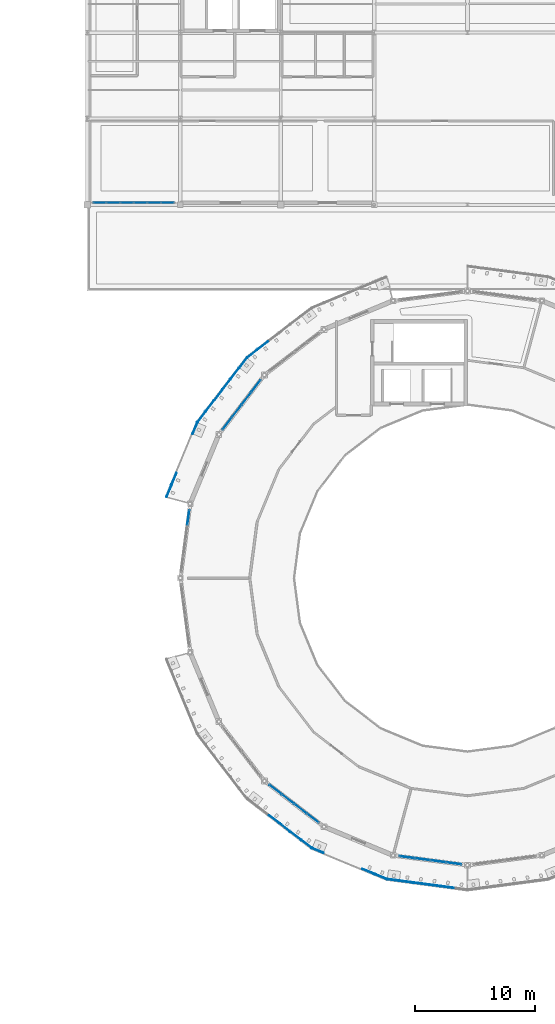
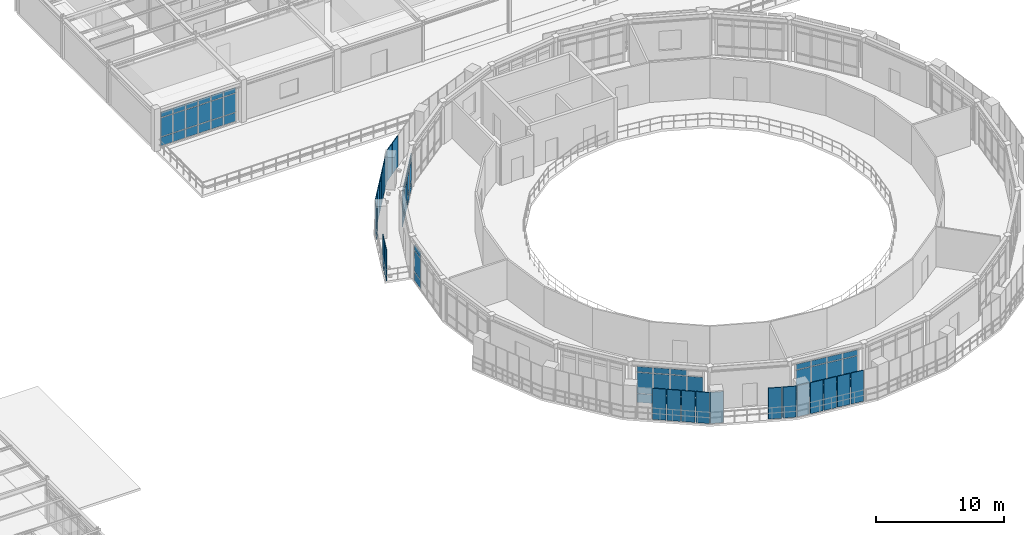
# One storey, part 35 of 58: 79 plates, 5 elements without a shape of their own.
"""IFC4 building model written with IfcOpenShell, lengths in metres."""

from ifc_helpers import new_model, si_unit, derived_unit, direction, frame, origin, origin_2d, place, context, subcontext, project, spatial, rectangle, extrude, material, layer, layer_set, type_object, element, aggregate, save


model = new_model("IFC4")

# Units and contexts
model_context = context("Model", 3, precision=1e-05, world=origin(), true_north=direction((0.0, 1.0)))
body_context = subcontext(model_context, "Body", "Model", "MODEL_VIEW")
ifc_project = project(units=[si_unit("LENGTHUNIT", "METRE"), si_unit("AREAUNIT", "SQUARE_METRE"), si_unit("VOLUMEUNIT", "CUBIC_METRE"), si_unit("PLANEANGLEUNIT", "RADIAN"), si_unit("MASSUNIT", "GRAM", prefix="KILO"), derived_unit("THERMALTRANSMITTANCEUNIT", [(si_unit("POWERUNIT", "WATT"), 1), (si_unit("AREAUNIT", "SQUARE_METRE"), -1), (si_unit("THERMODYNAMICTEMPERATUREUNIT", "KELVIN"), -1)])], contexts=[model_context])

# Site, building, storey
site_placement = place(None, origin())
site = spatial("IfcSite", under=ifc_project, at=site_placement, CompositionType="ELEMENT")
building_placement = place(site_placement, origin())
building = spatial("IfcBuilding", under=site, at=building_placement, Name="Yasenodar Specialist Clinic", CompositionType="ELEMENT")
storey_placement = place(building_placement, frame((0.0, 0.0, 17.25)))
storey = spatial("IfcBuildingStorey", under=building, at=storey_placement, Name="L04", CompositionType="ELEMENT", Elevation=17.25)

# Curtain wall, plates
ifc_material_1 = material(Name="Bronze Anodized Aluminium and Triple Low-E Glass", Category="aluminium")
ifc_layer_1 = layer(ifc_material_1, 0.215087890625)
ifc_layer_set_1 = layer_set([ifc_layer_1], Name="Bronze Anodized Aluminium and Triple Low-E Glass")
curtain_wall_type_1 = type_object("IfcCurtainWallType", Name="CW-SYS-05", PredefinedType="USERDEFINED", material=ifc_layer_set_1)
curtain_wall_1_placement = place(storey_placement, origin())
curtain_wall_1 = element("IfcCurtainWall", 1, at=curtain_wall_1_placement, inside=storey, type_object=curtain_wall_type_1, Name="L04 Unitised Curtain Wall 164", ObjectType="UNITISED CURTAIN WALL", PredefinedType="USERDEFINED")
ifc_material_2 = material(Name="Triple Low-E Argon Glazing", Category="glass")
ifc_layer_2 = layer(ifc_material_2, 0.028076171875)
ifc_layer_set_2 = layer_set([ifc_layer_2], Name="Triple Low-E Argon Glazing")
plate_type_1 = type_object("IfcPlateType", Name="CW-PAN-1", PredefinedType="CURTAIN_PANEL", material=ifc_layer_set_2)
plate_1_placement = place(storey_placement, frame((55.93505859375, 90.169921875, 0.06005859375), z_axis=(0.0, 0.0, 1.0), x_axis=(-1.0, 0.0, 0.0)))
plate_1 = element("IfcPlate", 2, at=plate_1_placement, type_object=plate_type_1, Name="CW-05 panel 1.1", PredefinedType="CURTAIN_PANEL", context=body_context, shape_type="SweptSolid", body=[
    extrude(rectangle(XDim=1.050048828125, YDim=0.028076171875, at=origin_2d()), origin(), (0.0, 0.0, 1.0), 0.81005859375),
])
plate_2_placement = place(storey_placement, frame((55.93505859375, 90.169921875, 0.929931640625), z_axis=(0.0, 0.0, 1.0), x_axis=(-1.0, 0.0, 0.0)))
plate_2 = element("IfcPlate", 3, at=plate_2_placement, type_object=plate_type_1, Name="CW-05 panel 1.2", PredefinedType="CURTAIN_PANEL", context=body_context, shape_type="SweptSolid", body=[
    extrude(rectangle(XDim=1.050048828125, YDim=0.028076171875, at=origin_2d()), origin(), (0.0, 0.0, 1.0), 1.76806640625),
])
plate_3_placement = place(storey_placement, frame((55.93505859375, 90.169921875, 2.7578125), z_axis=(0.0, 0.0, 1.0), x_axis=(-1.0, 0.0, 0.0)))
plate_3 = element("IfcPlate", 4, at=plate_3_placement, type_object=plate_type_1, Name="CW-05 panel 1.3", PredefinedType="CURTAIN_PANEL", context=body_context, shape_type="SweptSolid", body=[
    extrude(rectangle(XDim=1.050048828125, YDim=0.028076171875, at=origin_2d()), origin(), (0.0, 0.0, 1.0), 0.510009765625),
])
plate_4_placement = place(storey_placement, frame((54.81005859375, 90.169921875, 0.06005859375), z_axis=(0.0, 0.0, 1.0), x_axis=(-1.0, 0.0, 0.0)))
plate_4 = element("IfcPlate", 5, at=plate_4_placement, type_object=plate_type_1, Name="CW-05 panel 2.1", PredefinedType="CURTAIN_PANEL", context=body_context, shape_type="SweptSolid", body=[
    extrude(rectangle(XDim=1.080078125, YDim=0.028076171875, at=origin_2d()), origin(), (0.0, 0.0, 1.0), 0.81005859375),
])
plate_5_placement = place(storey_placement, frame((54.81005859375, 90.169921875, 0.929931640625), z_axis=(0.0, 0.0, 1.0), x_axis=(-1.0, 0.0, 0.0)))
plate_5 = element("IfcPlate", 6, at=plate_5_placement, type_object=plate_type_1, Name="CW-05 panel 2.2", PredefinedType="CURTAIN_PANEL", context=body_context, shape_type="SweptSolid", body=[
    extrude(rectangle(XDim=1.080078125, YDim=0.028076171875, at=origin_2d()), origin(), (0.0, 0.0, 1.0), 1.76806640625),
])
plate_6_placement = place(storey_placement, frame((54.81005859375, 90.169921875, 2.7578125), z_axis=(0.0, 0.0, 1.0), x_axis=(-1.0, 0.0, 0.0)))
plate_6 = element("IfcPlate", 7, at=plate_6_placement, type_object=plate_type_1, Name="CW-05 panel 2.3", PredefinedType="CURTAIN_PANEL", context=body_context, shape_type="SweptSolid", body=[
    extrude(rectangle(XDim=1.080078125, YDim=0.028076171875, at=origin_2d()), origin(), (0.0, 0.0, 1.0), 0.510009765625),
])
plate_7_placement = place(storey_placement, frame((53.669921875, 90.169921875, 0.06005859375), z_axis=(0.0, 0.0, 1.0), x_axis=(-1.0, 0.0, 0.0)))
plate_7 = element("IfcPlate", 8, at=plate_7_placement, type_object=plate_type_1, Name="CW-05 panel 3.1", PredefinedType="CURTAIN_PANEL", context=body_context, shape_type="SweptSolid", body=[
    extrude(rectangle(XDim=1.080078125, YDim=0.028076171875, at=origin_2d()), origin(), (0.0, 0.0, 1.0), 0.81005859375),
])
plate_8_placement = place(storey_placement, frame((53.669921875, 90.169921875, 0.929931640625), z_axis=(0.0, 0.0, 1.0), x_axis=(-1.0, 0.0, 0.0)))
plate_8 = element("IfcPlate", 9, at=plate_8_placement, type_object=plate_type_1, Name="CW-05 panel 3.2", PredefinedType="CURTAIN_PANEL", context=body_context, shape_type="SweptSolid", body=[
    extrude(rectangle(XDim=1.080078125, YDim=0.028076171875, at=origin_2d()), origin(), (0.0, 0.0, 1.0), 1.76806640625),
])
plate_9_placement = place(storey_placement, frame((53.669921875, 90.169921875, 2.7578125), z_axis=(0.0, 0.0, 1.0), x_axis=(-1.0, 0.0, 0.0)))
plate_9 = element("IfcPlate", 10, at=plate_9_placement, type_object=plate_type_1, Name="CW-05 panel 3.3", PredefinedType="CURTAIN_PANEL", context=body_context, shape_type="SweptSolid", body=[
    extrude(rectangle(XDim=1.080078125, YDim=0.028076171875, at=origin_2d()), origin(), (0.0, 0.0, 1.0), 0.510009765625),
])
plate_10_placement = place(storey_placement, frame((52.530029296875, 90.169921875, 0.06005859375), z_axis=(0.0, 0.0, 1.0), x_axis=(-1.0, 0.0, 0.0)))
plate_10 = element("IfcPlate", 11, at=plate_10_placement, type_object=plate_type_1, Name="CW-05 panel 4.1", PredefinedType="CURTAIN_PANEL", context=body_context, shape_type="SweptSolid", body=[
    extrude(rectangle(XDim=1.080078125, YDim=0.028076171875, at=origin_2d()), origin(), (0.0, 0.0, 1.0), 0.81005859375),
])
plate_11_placement = place(storey_placement, frame((52.530029296875, 90.169921875, 0.929931640625), z_axis=(0.0, 0.0, 1.0), x_axis=(-1.0, 0.0, 0.0)))
plate_11 = element("IfcPlate", 12, at=plate_11_placement, type_object=plate_type_1, Name="CW-05 panel 4.2", PredefinedType="CURTAIN_PANEL", context=body_context, shape_type="SweptSolid", body=[
    extrude(rectangle(XDim=1.080078125, YDim=0.028076171875, at=origin_2d()), origin(), (0.0, 0.0, 1.0), 1.76806640625),
])
plate_12_placement = place(storey_placement, frame((52.530029296875, 90.169921875, 2.7578125), z_axis=(0.0, 0.0, 1.0), x_axis=(-1.0, 0.0, 0.0)))
plate_12 = element("IfcPlate", 13, at=plate_12_placement, type_object=plate_type_1, Name="CW-05 panel 4.3", PredefinedType="CURTAIN_PANEL", context=body_context, shape_type="SweptSolid", body=[
    extrude(rectangle(XDim=1.080078125, YDim=0.028076171875, at=origin_2d()), origin(), (0.0, 0.0, 1.0), 0.510009765625),
])
plate_13_placement = place(storey_placement, frame((51.389892578125, 90.169921875, 0.06005859375), z_axis=(0.0, 0.0, 1.0), x_axis=(-1.0, 0.0, 0.0)))
plate_13 = element("IfcPlate", 14, at=plate_13_placement, type_object=plate_type_1, Name="CW-05 panel 5.1", PredefinedType="CURTAIN_PANEL", context=body_context, shape_type="SweptSolid", body=[
    extrude(rectangle(XDim=1.080078125, YDim=0.028076171875, at=origin_2d()), origin(), (0.0, 0.0, 1.0), 0.81005859375),
])
plate_14_placement = place(storey_placement, frame((51.389892578125, 90.169921875, 0.929931640625), z_axis=(0.0, 0.0, 1.0), x_axis=(-1.0, 0.0, 0.0)))
plate_14 = element("IfcPlate", 15, at=plate_14_placement, type_object=plate_type_1, Name="CW-05 panel 5.2", PredefinedType="CURTAIN_PANEL", context=body_context, shape_type="SweptSolid", body=[
    extrude(rectangle(XDim=1.080078125, YDim=0.028076171875, at=origin_2d()), origin(), (0.0, 0.0, 1.0), 1.76806640625),
])
plate_15_placement = place(storey_placement, frame((51.389892578125, 90.169921875, 2.7578125), z_axis=(0.0, 0.0, 1.0), x_axis=(-1.0, 0.0, 0.0)))
plate_15 = element("IfcPlate", 16, at=plate_15_placement, type_object=plate_type_1, Name="CW-05 panel 5.3", PredefinedType="CURTAIN_PANEL", context=body_context, shape_type="SweptSolid", body=[
    extrude(rectangle(XDim=1.080078125, YDim=0.028076171875, at=origin_2d()), origin(), (0.0, 0.0, 1.0), 0.510009765625),
])
plate_16_placement = place(storey_placement, frame((50.264892578125, 90.169921875, 0.06005859375), z_axis=(0.0, 0.0, 1.0), x_axis=(-1.0, 0.0, 0.0)))
plate_16 = element("IfcPlate", 17, at=plate_16_placement, type_object=plate_type_1, Name="CW-05 panel 6.1", PredefinedType="CURTAIN_PANEL", context=body_context, shape_type="SweptSolid", body=[
    extrude(rectangle(XDim=1.050048828125, YDim=0.028076171875, at=origin_2d()), origin(), (0.0, 0.0, 1.0), 0.81005859375),
])
plate_17_placement = place(storey_placement, frame((50.264892578125, 90.169921875, 0.929931640625), z_axis=(0.0, 0.0, 1.0), x_axis=(-1.0, 0.0, 0.0)))
plate_17 = element("IfcPlate", 18, at=plate_17_placement, type_object=plate_type_1, Name="CW-05 panel 6.2", PredefinedType="CURTAIN_PANEL", context=body_context, shape_type="SweptSolid", body=[
    extrude(rectangle(XDim=1.050048828125, YDim=0.028076171875, at=origin_2d()), origin(), (0.0, 0.0, 1.0), 1.76806640625),
])
plate_18_placement = place(storey_placement, frame((50.264892578125, 90.169921875, 2.7578125), z_axis=(0.0, 0.0, 1.0), x_axis=(-1.0, 0.0, 0.0)))
plate_18 = element("IfcPlate", 19, at=plate_18_placement, type_object=plate_type_1, Name="CW-05 panel 6.3", PredefinedType="CURTAIN_PANEL", context=body_context, shape_type="SweptSolid", body=[
    extrude(rectangle(XDim=1.050048828125, YDim=0.028076171875, at=origin_2d()), origin(), (0.0, 0.0, 1.0), 0.510009765625),
])
aggregate(curtain_wall_1, [plate_1, plate_2, plate_3, plate_4, plate_5, plate_6, plate_7, plate_8, plate_9, plate_10, plate_11, plate_12, plate_13, plate_14, plate_15, plate_16, plate_17, plate_18])

ifc_layer_3 = layer(ifc_material_1, 0.1669921875)
ifc_layer_set_3 = layer_set([ifc_layer_3], Name="Bronze Anodized Aluminium and Triple Low-E Glass")
curtain_wall_type_2 = type_object("IfcCurtainWallType", Name="CW-SYS-01", PredefinedType="USERDEFINED", material=ifc_layer_set_3)
curtain_wall_2_placement = place(storey_placement, origin())
curtain_wall_2 = element("IfcCurtainWall", 20, at=curtain_wall_2_placement, inside=storey, type_object=curtain_wall_type_2, Name="L04 Unitised Curtain Wall 062", ObjectType="UNITISED CURTAIN WALL", PredefinedType="USERDEFINED")
ifc_layer_4 = layer(ifc_material_2, 0.0400390625)
ifc_layer_set_4 = layer_set([ifc_layer_4], Name="Triple Low-E Argon Glazing")
plate_type_2 = type_object("IfcPlateType", Name="CW-PAN-3", PredefinedType="CURTAIN_PANEL", material=ifc_layer_set_4)
plate_19_placement = place(storey_placement, frame((60.92041015625, 71.71875, 0.06005859375), z_axis=(0.0, 0.0, 1.0), x_axis=(0.608752021844, 0.793360558574, 0.0)))
plate_19 = element("IfcPlate", 21, at=plate_19_placement, type_object=plate_type_2, Name="CW-01 panel 1.1", PredefinedType="CURTAIN_PANEL", context=body_context, shape_type="SweptSolid", body=[
    extrude(rectangle(XDim=1.236328125, YDim=0.0400390625, at=origin_2d()), origin(), (0.0, 0.0, 1.0), 0.81005859375),
])
plate_20_placement = place(storey_placement, frame((60.92041015625, 71.71875, 0.93017578125), z_axis=(0.0, 0.0, 1.0), x_axis=(0.608752021844, 0.793360558574, 0.0)))
plate_20 = element("IfcPlate", 22, at=plate_20_placement, type_object=plate_type_2, Name="CW-01 panel 1.2", PredefinedType="CURTAIN_PANEL", context=body_context, shape_type="SweptSolid", body=[
    extrude(rectangle(XDim=1.236328125, YDim=0.0400390625, at=origin_2d()), origin(), (0.0, 0.0, 1.0), 1.968017578125),
])
plate_21_placement = place(storey_placement, frame((60.92041015625, 71.71875, 2.9580078125), z_axis=(0.0, 0.0, 1.0), x_axis=(0.608752021844, 0.793360558574, 0.0)))
plate_21 = element("IfcPlate", 23, at=plate_21_placement, type_object=plate_type_2, Name="CW-01 panel 1.3", PredefinedType="CURTAIN_PANEL", context=body_context, shape_type="SweptSolid", body=[
    extrude(rectangle(XDim=1.236328125, YDim=0.0400390625, at=origin_2d()), origin(), (0.0, 0.0, 1.0), 0.510009765625),
])
plate_22_placement = place(storey_placement, frame((61.71875, 72.75927734375, 0.06005859375), z_axis=(0.0, 0.0, 1.0), x_axis=(0.608752021844, 0.793360558574, 0.0)))
plate_22 = element("IfcPlate", 24, at=plate_22_placement, type_object=plate_type_2, Name="CW-01 panel 2.1", PredefinedType="CURTAIN_PANEL", context=body_context, shape_type="SweptSolid", body=[
    extrude(rectangle(XDim=1.266357421875, YDim=0.0400390625, at=origin_2d()), origin(), (0.0, 0.0, 1.0), 0.81005859375),
])
plate_23_placement = place(storey_placement, frame((61.71875, 72.75927734375, 0.93017578125), z_axis=(0.0, 0.0, 1.0), x_axis=(0.608752021844, 0.793360558574, 0.0)))
plate_23 = element("IfcPlate", 25, at=plate_23_placement, type_object=plate_type_2, Name="CW-01 panel 2.2", PredefinedType="CURTAIN_PANEL", context=body_context, shape_type="SweptSolid", body=[
    extrude(rectangle(XDim=1.266357421875, YDim=0.0400390625, at=origin_2d()), origin(), (0.0, 0.0, 1.0), 1.968017578125),
])
plate_24_placement = place(storey_placement, frame((61.71875, 72.75927734375, 2.9580078125), z_axis=(0.0, 0.0, 1.0), x_axis=(0.608752021844, 0.793360558574, 0.0)))
plate_24 = element("IfcPlate", 26, at=plate_24_placement, type_object=plate_type_2, Name="CW-01 panel 2.3", PredefinedType="CURTAIN_PANEL", context=body_context, shape_type="SweptSolid", body=[
    extrude(rectangle(XDim=1.266357421875, YDim=0.0400390625, at=origin_2d()), origin(), (0.0, 0.0, 1.0), 0.510009765625),
])
plate_25_placement = place(storey_placement, frame((62.526123046875, 73.8115234375, 0.06005859375), z_axis=(0.0, 0.0, 1.0), x_axis=(0.608752021844, 0.793360558574, 0.0)))
plate_25 = element("IfcPlate", 27, at=plate_25_placement, type_object=plate_type_2, Name="CW-01 panel 3.1", PredefinedType="CURTAIN_PANEL", context=body_context, shape_type="SweptSolid", body=[
    extrude(rectangle(XDim=1.266357421875, YDim=0.0400390625, at=origin_2d()), origin(), (0.0, 0.0, 1.0), 0.81005859375),
])
plate_26_placement = place(storey_placement, frame((62.526123046875, 73.8115234375, 0.93017578125), z_axis=(0.0, 0.0, 1.0), x_axis=(0.608752021844, 0.793360558574, 0.0)))
plate_26 = element("IfcPlate", 28, at=plate_26_placement, type_object=plate_type_2, Name="CW-01 panel 3.2", PredefinedType="CURTAIN_PANEL", context=body_context, shape_type="SweptSolid", body=[
    extrude(rectangle(XDim=1.266357421875, YDim=0.0400390625, at=origin_2d()), origin(), (0.0, 0.0, 1.0), 1.968017578125),
])
plate_27_placement = place(storey_placement, frame((62.526123046875, 73.8115234375, 2.9580078125), z_axis=(0.0, 0.0, 1.0), x_axis=(0.608752021844, 0.793360558574, 0.0)))
plate_27 = element("IfcPlate", 29, at=plate_27_placement, type_object=plate_type_2, Name="CW-01 panel 3.3", PredefinedType="CURTAIN_PANEL", context=body_context, shape_type="SweptSolid", body=[
    extrude(rectangle(XDim=1.266357421875, YDim=0.0400390625, at=origin_2d()), origin(), (0.0, 0.0, 1.0), 0.510009765625),
])
plate_28_placement = place(storey_placement, frame((63.324462890625, 74.851806640625, 0.06005859375), z_axis=(0.0, 0.0, 1.0), x_axis=(0.608752021844, 0.793360558574, 0.0)))
plate_28 = element("IfcPlate", 30, at=plate_28_placement, type_object=plate_type_2, Name="CW-01 panel 4.1", PredefinedType="CURTAIN_PANEL", context=body_context, shape_type="SweptSolid", body=[
    extrude(rectangle(XDim=1.236328125, YDim=0.0400390625, at=origin_2d()), origin(), (0.0, 0.0, 1.0), 0.81005859375),
])
plate_29_placement = place(storey_placement, frame((63.324462890625, 74.851806640625, 0.93017578125), z_axis=(0.0, 0.0, 1.0), x_axis=(0.608752021844, 0.793360558574, 0.0)))
plate_29 = element("IfcPlate", 31, at=plate_29_placement, type_object=plate_type_2, Name="CW-01 panel 4.2", PredefinedType="CURTAIN_PANEL", context=body_context, shape_type="SweptSolid", body=[
    extrude(rectangle(XDim=1.236328125, YDim=0.0400390625, at=origin_2d()), origin(), (0.0, 0.0, 1.0), 1.968017578125),
])
plate_30_placement = place(storey_placement, frame((63.324462890625, 74.851806640625, 2.9580078125), z_axis=(0.0, 0.0, 1.0), x_axis=(0.608752021844, 0.793360558574, 0.0)))
plate_30 = element("IfcPlate", 32, at=plate_30_placement, type_object=plate_type_2, Name="CW-01 panel 4.3", PredefinedType="CURTAIN_PANEL", context=body_context, shape_type="SweptSolid", body=[
    extrude(rectangle(XDim=1.236328125, YDim=0.0400390625, at=origin_2d()), origin(), (0.0, 0.0, 1.0), 0.510009765625),
])
aggregate(curtain_wall_2, [plate_19, plate_20, plate_21, plate_22, plate_23, plate_24, plate_25, plate_26, plate_27, plate_28, plate_29, plate_30])

curtain_wall_3_placement = place(storey_placement, origin())
curtain_wall_3 = element("IfcCurtainWall", 33, at=curtain_wall_3_placement, inside=storey, type_object=curtain_wall_type_2, Name="L04 Unitised Curtain Wall 066", ObjectType="UNITISED CURTAIN WALL", PredefinedType="USERDEFINED")
plate_31_placement = place(storey_placement, frame((68.0810546875, 38.720458984375, 0.06005859375), z_axis=(0.0, 0.0, 1.0), x_axis=(-0.793360558574, 0.608752021844, 0.0)))
plate_31 = element("IfcPlate", 34, at=plate_31_placement, type_object=plate_type_2, Name="CW-01 panel 1.1", PredefinedType="CURTAIN_PANEL", context=body_context, shape_type="SweptSolid", body=[
    extrude(rectangle(XDim=1.236328125, YDim=0.0400390625, at=origin_2d()), origin(), (0.0, 0.0, 1.0), 0.81005859375),
])
plate_32_placement = place(storey_placement, frame((68.0810546875, 38.720458984375, 0.93017578125), z_axis=(0.0, 0.0, 1.0), x_axis=(-0.793360558574, 0.608752021844, 0.0)))
plate_32 = element("IfcPlate", 35, at=plate_32_placement, type_object=plate_type_2, Name="CW-01 panel 1.2", PredefinedType="CURTAIN_PANEL", context=body_context, shape_type="SweptSolid", body=[
    extrude(rectangle(XDim=1.236328125, YDim=0.0400390625, at=origin_2d()), origin(), (0.0, 0.0, 1.0), 1.968017578125),
])
plate_33_placement = place(storey_placement, frame((67.040771484375, 39.518798828125, 0.06005859375), z_axis=(0.0, 0.0, 1.0), x_axis=(-0.793360558574, 0.608752021844, 0.0)))
plate_33 = element("IfcPlate", 36, at=plate_33_placement, type_object=plate_type_2, Name="CW-01 panel 2.1", PredefinedType="CURTAIN_PANEL", context=body_context, shape_type="SweptSolid", body=[
    extrude(rectangle(XDim=1.266357421875, YDim=0.0400390625, at=origin_2d()), origin(), (0.0, 0.0, 1.0), 0.81005859375),
])
plate_34_placement = place(storey_placement, frame((67.040771484375, 39.518798828125, 0.93017578125), z_axis=(0.0, 0.0, 1.0), x_axis=(-0.793360558574, 0.608752021844, 0.0)))
plate_34 = element("IfcPlate", 37, at=plate_34_placement, type_object=plate_type_2, Name="CW-01 panel 2.2", PredefinedType="CURTAIN_PANEL", context=body_context, shape_type="SweptSolid", body=[
    extrude(rectangle(XDim=1.266357421875, YDim=0.0400390625, at=origin_2d()), origin(), (0.0, 0.0, 1.0), 1.968017578125),
])
plate_35_placement = place(storey_placement, frame((67.040771484375, 39.518798828125, 2.9580078125), z_axis=(0.0, 0.0, 1.0), x_axis=(-0.793360558574, 0.608752021844, 0.0)))
plate_35 = element("IfcPlate", 38, at=plate_35_placement, type_object=plate_type_2, Name="CW-01 panel 2.3", PredefinedType="CURTAIN_PANEL", context=body_context, shape_type="SweptSolid", body=[
    extrude(rectangle(XDim=1.266357421875, YDim=0.0400390625, at=origin_2d()), origin(), (0.0, 0.0, 1.0), 0.510009765625),
])
plate_36_placement = place(storey_placement, frame((65.988525390625, 40.326171875, 0.06005859375), z_axis=(0.0, 0.0, 1.0), x_axis=(-0.793360558574, 0.608752021844, 0.0)))
plate_36 = element("IfcPlate", 39, at=plate_36_placement, type_object=plate_type_2, Name="CW-01 panel 3.1", PredefinedType="CURTAIN_PANEL", context=body_context, shape_type="SweptSolid", body=[
    extrude(rectangle(XDim=1.266357421875, YDim=0.0400390625, at=origin_2d()), origin(), (0.0, 0.0, 1.0), 0.81005859375),
])
plate_37_placement = place(storey_placement, frame((65.988525390625, 40.326171875, 0.93017578125), z_axis=(0.0, 0.0, 1.0), x_axis=(-0.793360558574, 0.608752021844, 0.0)))
plate_37 = element("IfcPlate", 40, at=plate_37_placement, type_object=plate_type_2, Name="CW-01 panel 3.2", PredefinedType="CURTAIN_PANEL", context=body_context, shape_type="SweptSolid", body=[
    extrude(rectangle(XDim=1.266357421875, YDim=0.0400390625, at=origin_2d()), origin(), (0.0, 0.0, 1.0), 1.968017578125),
])
plate_38_placement = place(storey_placement, frame((65.988525390625, 40.326171875, 2.9580078125), z_axis=(0.0, 0.0, 1.0), x_axis=(-0.793360558574, 0.608752021844, 0.0)))
plate_38 = element("IfcPlate", 41, at=plate_38_placement, type_object=plate_type_2, Name="CW-01 panel 3.3", PredefinedType="CURTAIN_PANEL", context=body_context, shape_type="SweptSolid", body=[
    extrude(rectangle(XDim=1.266357421875, YDim=0.0400390625, at=origin_2d()), origin(), (0.0, 0.0, 1.0), 0.510009765625),
])
plate_39_placement = place(storey_placement, frame((64.9482421875, 41.124267578125, 0.06005859375), z_axis=(0.0, 0.0, 1.0), x_axis=(-0.793360558574, 0.608752021844, 0.0)))
plate_39 = element("IfcPlate", 42, at=plate_39_placement, type_object=plate_type_2, Name="CW-01 panel 4.1", PredefinedType="CURTAIN_PANEL", context=body_context, shape_type="SweptSolid", body=[
    extrude(rectangle(XDim=1.236328125, YDim=0.0400390625, at=origin_2d()), origin(), (0.0, 0.0, 1.0), 0.81005859375),
])
plate_40_placement = place(storey_placement, frame((64.9482421875, 41.124267578125, 0.93017578125), z_axis=(0.0, 0.0, 1.0), x_axis=(-0.793360558574, 0.608752021844, 0.0)))
plate_40 = element("IfcPlate", 43, at=plate_40_placement, type_object=plate_type_2, Name="CW-01 panel 4.2", PredefinedType="CURTAIN_PANEL", context=body_context, shape_type="SweptSolid", body=[
    extrude(rectangle(XDim=1.236328125, YDim=0.0400390625, at=origin_2d()), origin(), (0.0, 0.0, 1.0), 1.968017578125),
])
plate_41_placement = place(storey_placement, frame((64.9482421875, 41.124267578125, 2.9580078125), z_axis=(0.0, 0.0, 1.0), x_axis=(-0.793360558574, 0.608752021844, 0.0)))
plate_41 = element("IfcPlate", 44, at=plate_41_placement, type_object=plate_type_2, Name="CW-01 panel 4.3", PredefinedType="CURTAIN_PANEL", context=body_context, shape_type="SweptSolid", body=[
    extrude(rectangle(XDim=1.236328125, YDim=0.0400390625, at=origin_2d()), origin(), (0.0, 0.0, 1.0), 0.510009765625),
])
aggregate(curtain_wall_3, [plate_31, plate_32, plate_33, plate_34, plate_35, plate_36, plate_37, plate_38, plate_39, plate_40, plate_41])

curtain_wall_4_placement = place(storey_placement, origin())
curtain_wall_4 = element("IfcCurtainWall", 45, at=curtain_wall_4_placement, inside=storey, type_object=curtain_wall_type_2, Name="L04 Unitised Curtain Wall 063", ObjectType="UNITISED CURTAIN WALL", PredefinedType="USERDEFINED")
ifc_layer_5 = layer(ifc_material_2, 0.0458984375)
ifc_layer_set_5 = layer_set([ifc_layer_5], Name="Triple Low-E Argon Glazing")
plate_type_3 = type_object("IfcPlateType", Name="CW-PAN-4", PredefinedType="CURTAIN_PANEL", material=ifc_layer_set_5)
plate_42_placement = place(storey_placement, frame((57.66650390625, 63.863525390625, 0.06005859375), z_axis=(0.0, 0.0, 1.0), x_axis=(0.13051156024, 0.991446787601, 0.0)))
plate_42 = element("IfcPlate", 46, at=plate_42_placement, type_object=plate_type_3, Name="CW-01 panel 4.1", PredefinedType="CURTAIN_PANEL", context=body_context, shape_type="SweptSolid", body=[
    extrude(rectangle(XDim=1.236328125, YDim=0.0458984375, at=origin_2d()), origin(), (0.0, 0.0, 1.0), 0.81005859375),
])
plate_43_placement = place(storey_placement, frame((57.66650390625, 63.863525390625, 0.93017578125), z_axis=(0.0, 0.0, 1.0), x_axis=(0.13051156024, 0.991446787601, 0.0)))
plate_43 = element("IfcPlate", 47, at=plate_43_placement, type_object=plate_type_3, Name="CW-01 panel 4.2", PredefinedType="CURTAIN_PANEL", context=body_context, shape_type="SweptSolid", body=[
    extrude(rectangle(XDim=1.236328125, YDim=0.0458984375, at=origin_2d()), origin(), (0.0, 0.0, 1.0), 1.968017578125),
])
plate_44_placement = place(storey_placement, frame((57.66650390625, 63.863525390625, 2.9580078125), z_axis=(0.0, 0.0, 1.0), x_axis=(0.13051156024, 0.991446787601, 0.0)))
plate_44 = element("IfcPlate", 48, at=plate_44_placement, type_object=plate_type_3, Name="CW-01 panel 4.3", PredefinedType="CURTAIN_PANEL", context=body_context, shape_type="SweptSolid", body=[
    extrude(rectangle(XDim=1.236328125, YDim=0.0458984375, at=origin_2d()), origin(), (0.0, 0.0, 1.0), 0.510009765625),
])
aggregate(curtain_wall_4, [plate_42, plate_43, plate_44])

curtain_wall_5_placement = place(storey_placement, origin())
curtain_wall_5 = element("IfcCurtainWall", 49, at=curtain_wall_5_placement, inside=storey, type_object=curtain_wall_type_2, Name="L04 Unitised Curtain Wall 067", ObjectType="UNITISED CURTAIN WALL", PredefinedType="USERDEFINED")
plate_45_placement = place(storey_placement, frame((79.851806640625, 34.951171875, 0.06005859375), z_axis=(0.0, 0.0, 1.0), x_axis=(-0.991446787601, 0.13051156024, 0.0)))
plate_45 = element("IfcPlate", 50, at=plate_45_placement, type_object=plate_type_3, Name="CW-01 panel 1.1", PredefinedType="CURTAIN_PANEL", context=body_context, shape_type="SweptSolid", body=[
    extrude(rectangle(XDim=1.236328125, YDim=0.0458984375, at=origin_2d()), origin(), (0.0, 0.0, 1.0), 0.81005859375),
])
plate_46_placement = place(storey_placement, frame((79.851806640625, 34.951171875, 0.93017578125), z_axis=(0.0, 0.0, 1.0), x_axis=(-0.991446787601, 0.13051156024, 0.0)))
plate_46 = element("IfcPlate", 51, at=plate_46_placement, type_object=plate_type_3, Name="CW-01 panel 1.2", PredefinedType="CURTAIN_PANEL", context=body_context, shape_type="SweptSolid", body=[
    extrude(rectangle(XDim=1.236328125, YDim=0.0458984375, at=origin_2d()), origin(), (0.0, 0.0, 1.0), 1.968017578125),
])
plate_47_placement = place(storey_placement, frame((79.851806640625, 34.951171875, 2.9580078125), z_axis=(0.0, 0.0, 1.0), x_axis=(-0.991446787601, 0.13051156024, 0.0)))
plate_47 = element("IfcPlate", 52, at=plate_47_placement, type_object=plate_type_3, Name="CW-01 panel 1.3", PredefinedType="CURTAIN_PANEL", context=body_context, shape_type="SweptSolid", body=[
    extrude(rectangle(XDim=1.236328125, YDim=0.0458984375, at=origin_2d()), origin(), (0.0, 0.0, 1.0), 0.510009765625),
])
plate_48_placement = place(storey_placement, frame((78.5517578125, 35.122314453125, 0.06005859375), z_axis=(0.0, 0.0, 1.0), x_axis=(-0.991446787601, 0.13051156024, 0.0)))
plate_48 = element("IfcPlate", 53, at=plate_48_placement, type_object=plate_type_3, Name="CW-01 panel 2.1", PredefinedType="CURTAIN_PANEL", context=body_context, shape_type="SweptSolid", body=[
    extrude(rectangle(XDim=1.266357421875, YDim=0.0458984375, at=origin_2d()), origin(), (0.0, 0.0, 1.0), 0.81005859375),
])
plate_49_placement = place(storey_placement, frame((78.5517578125, 35.122314453125, 0.93017578125), z_axis=(0.0, 0.0, 1.0), x_axis=(-0.991446787601, 0.13051156024, 0.0)))
plate_49 = element("IfcPlate", 54, at=plate_49_placement, type_object=plate_type_3, Name="CW-01 panel 2.2", PredefinedType="CURTAIN_PANEL", context=body_context, shape_type="SweptSolid", body=[
    extrude(rectangle(XDim=1.266357421875, YDim=0.0458984375, at=origin_2d()), origin(), (0.0, 0.0, 1.0), 1.968017578125),
])
plate_50_placement = place(storey_placement, frame((78.5517578125, 35.122314453125, 2.9580078125), z_axis=(0.0, 0.0, 1.0), x_axis=(-0.991446787601, 0.13051156024, 0.0)))
plate_50 = element("IfcPlate", 55, at=plate_50_placement, type_object=plate_type_3, Name="CW-01 panel 2.3", PredefinedType="CURTAIN_PANEL", context=body_context, shape_type="SweptSolid", body=[
    extrude(rectangle(XDim=1.266357421875, YDim=0.0458984375, at=origin_2d()), origin(), (0.0, 0.0, 1.0), 0.510009765625),
])
plate_51_placement = place(storey_placement, frame((77.236572265625, 35.29541015625, 0.06005859375), z_axis=(0.0, 0.0, 1.0), x_axis=(-0.991446787601, 0.13051156024, 0.0)))
plate_51 = element("IfcPlate", 56, at=plate_51_placement, type_object=plate_type_3, Name="CW-01 panel 3.1", PredefinedType="CURTAIN_PANEL", context=body_context, shape_type="SweptSolid", body=[
    extrude(rectangle(XDim=1.266357421875, YDim=0.0458984375, at=origin_2d()), origin(), (0.0, 0.0, 1.0), 0.81005859375),
])
plate_52_placement = place(storey_placement, frame((77.236572265625, 35.29541015625, 0.93017578125), z_axis=(0.0, 0.0, 1.0), x_axis=(-0.991446787601, 0.13051156024, 0.0)))
plate_52 = element("IfcPlate", 57, at=plate_52_placement, type_object=plate_type_3, Name="CW-01 panel 3.2", PredefinedType="CURTAIN_PANEL", context=body_context, shape_type="SweptSolid", body=[
    extrude(rectangle(XDim=1.266357421875, YDim=0.0458984375, at=origin_2d()), origin(), (0.0, 0.0, 1.0), 1.968017578125),
])
plate_53_placement = place(storey_placement, frame((77.236572265625, 35.29541015625, 2.9580078125), z_axis=(0.0, 0.0, 1.0), x_axis=(-0.991446787601, 0.13051156024, 0.0)))
plate_53 = element("IfcPlate", 58, at=plate_53_placement, type_object=plate_type_3, Name="CW-01 panel 3.3", PredefinedType="CURTAIN_PANEL", context=body_context, shape_type="SweptSolid", body=[
    extrude(rectangle(XDim=1.266357421875, YDim=0.0458984375, at=origin_2d()), origin(), (0.0, 0.0, 1.0), 0.510009765625),
])
plate_54_placement = place(storey_placement, frame((75.9365234375, 35.466552734375, 0.06005859375), z_axis=(0.0, 0.0, 1.0), x_axis=(-0.991446787601, 0.13051156024, 0.0)))
plate_54 = element("IfcPlate", 59, at=plate_54_placement, type_object=plate_type_3, Name="CW-01 panel 4.1", PredefinedType="CURTAIN_PANEL", context=body_context, shape_type="SweptSolid", body=[
    extrude(rectangle(XDim=1.236328125, YDim=0.0458984375, at=origin_2d()), origin(), (0.0, 0.0, 1.0), 0.81005859375),
])
plate_55_placement = place(storey_placement, frame((75.9365234375, 35.466552734375, 0.93017578125), z_axis=(0.0, 0.0, 1.0), x_axis=(-0.991446787601, 0.13051156024, 0.0)))
plate_55 = element("IfcPlate", 60, at=plate_55_placement, type_object=plate_type_3, Name="CW-01 panel 4.2", PredefinedType="CURTAIN_PANEL", context=body_context, shape_type="SweptSolid", body=[
    extrude(rectangle(XDim=1.236328125, YDim=0.0458984375, at=origin_2d()), origin(), (0.0, 0.0, 1.0), 1.968017578125),
])
plate_56_placement = place(storey_placement, frame((75.9365234375, 35.466552734375, 2.9580078125), z_axis=(0.0, 0.0, 1.0), x_axis=(-0.991446787601, 0.13051156024, 0.0)))
plate_56 = element("IfcPlate", 61, at=plate_56_placement, type_object=plate_type_3, Name="CW-01 panel 4.3", PredefinedType="CURTAIN_PANEL", context=body_context, shape_type="SweptSolid", body=[
    extrude(rectangle(XDim=1.236328125, YDim=0.0458984375, at=origin_2d()), origin(), (0.0, 0.0, 1.0), 0.510009765625),
])
aggregate(curtain_wall_5, [plate_45, plate_46, plate_47, plate_48, plate_49, plate_50, plate_51, plate_52, plate_53, plate_54, plate_55, plate_56])

# Plates
ifc_material_3 = material(Name="Thermally Modified Larch and Bronze Girih Jali Screen")
ifc_layer_6 = layer(ifc_material_3, 0.06494140625)
ifc_layer_set_6 = layer_set([ifc_layer_6], Name="Thermally Modified Larch and Bronze Girih Jali Screen")
plate_type_4 = type_object("IfcPlateType", Name="PL-JALI-850", PredefinedType="USERDEFINED", material=ifc_layer_set_6)
for number, where, z_axis, x_axis, name in (
    (62, (63.91552734375, 78.256103515625, 0.0048828125), (0.0, 0.0, 1.0), (-0.793351200869, -0.608764217148, 0.0), "L04 Sliding Timber-Bronze Jali Shutter Screen 0374"),
    (63, (63.01123046875, 77.56201171875, 0.0048828125), (0.0, 0.0, 1.0), (-0.793351200869, -0.608764217148, 0.0), "L04 Sliding Timber-Bronze Jali Shutter Screen 0375"),
    (64, (62.23779296875, 76.788818359375, 0.0048828125), (0.0, 0.0, 1.0), (-0.608764217148, -0.793351200869, 0.0), "L04 Sliding Timber-Bronze Jali Shutter Screen 0376"),
    (65, (61.5439453125, 75.884521484375, 0.0048828125), (0.0, 0.0, 1.0), (-0.608764217148, -0.793351200869, 0.0), "L04 Sliding Timber-Bronze Jali Shutter Screen 0377"),
    (66, (60.85009765625, 74.97998046875, 0.0048828125), (0.0, 0.0, 1.0), (-0.608764217148, -0.793351200869, 0.0), "L04 Sliding Timber-Bronze Jali Shutter Screen 0378"),
    (67, (60.156005859375, 74.07568359375, 0.0048828125), (0.0, 0.0, 1.0), (-0.608764217148, -0.793351200869, 0.0), "L04 Sliding Timber-Bronze Jali Shutter Screen 0379"),
    (68, (59.462158203125, 73.17138671875, 0.0048828125), (0.0, 0.0, 1.0), (-0.608764217148, -0.793351200869, 0.0), "L04 Sliding Timber-Bronze Jali Shutter Screen 0380"),
    (69, (58.76806640625, 72.26708984375, 0.0048828125), (0.0, 0.0, 1.0), (-0.608764217148, -0.793351200869, 0.0), "L04 Sliding Timber-Bronze Jali Shutter Screen 0381"),
    (70, (58.22119140625, 71.31982421875, 0.0048828125), (0.0, 0.0, 1.0), (-0.382686667195, -0.923878192594, 0.0), "L04 Sliding Timber-Bronze Jali Shutter Screen 0382"),
    (71, (56.476318359375, 67.107177734375, 0.0048828125), (0.0, 0.0, 1.0), (-0.382686667195, -0.923878192594, 0.0), "L04 Sliding Timber-Bronze Jali Shutter Screen 0383"),
    (72, (56.040283203125, 66.05419921875, 0.0048828125), (0.0, 0.0, 1.0), (-0.382686667195, -0.923878192594, 0.0), "L04 Sliding Timber-Bronze Jali Shutter Screen 0384"),
    (73, (64.81982421875, 38.64990234375, 0.0048828125), (0.0, 0.0, 1.0), (0.793351200869, -0.608764217148, 0.0), "L04 Sliding Timber-Bronze Jali Shutter Screen 0399"),
    (74, (65.724365234375, 37.9560546875, 0.0048828125), (0.0, 0.0, 1.0), (0.793351200869, -0.608764217148, 0.0), "L04 Sliding Timber-Bronze Jali Shutter Screen 0400"),
    (75, (66.628662109375, 37.26220703125, 0.0048828125), (0.0, 0.0, 1.0), (0.793351200869, -0.608764217148, 0.0), "L04 Sliding Timber-Bronze Jali Shutter Screen 0401"),
    (76, (67.532958984375, 36.568115234375, 0.0048828125), (0.0, 0.0, 1.0), (0.793351200869, -0.608764217148, 0.0), "L04 Sliding Timber-Bronze Jali Shutter Screen 0402"),
    (77, (68.480224609375, 36.021240234375, 0.0048828125), (0.0, 0.0, 1.0), (0.923878192594, -0.382686667195, 0.0), "L04 Sliding Timber-Bronze Jali Shutter Screen 0403"),
    (78, (72.69287109375, 34.2763671875, 0.0048828125), (0.0, 0.0, 1.0), (0.923878192594, -0.382686667195, 0.0), "L04 Sliding Timber-Bronze Jali Shutter Screen 0404"),
    (79, (73.745849609375, 33.840087890625, 0.0048828125), (0.0, 0.0, 1.0), (0.923878192594, -0.382686667195, 0.0), "L04 Sliding Timber-Bronze Jali Shutter Screen 0405"),
    (80, (74.80224609375, 33.55712890625, 0.0048828125), (0.0, 0.0, 1.0), (0.991445783754, -0.130519185854, 0.0), "L04 Sliding Timber-Bronze Jali Shutter Screen 0406"),
    (81, (75.932373046875, 33.408203125, 0.0048828125), (0.0, 0.0, 1.0), (0.991445783754, -0.130519185854, 0.0), "L04 Sliding Timber-Bronze Jali Shutter Screen 0407"),
    (82, (77.0625, 33.259521484375, 0.0048828125), (0.0, 0.0, 1.0), (0.991445783754, -0.130519185854, 0.0), "L04 Sliding Timber-Bronze Jali Shutter Screen 0408"),
    (83, (78.19287109375, 33.11083984375, 0.0048828125), (0.0, 0.0, 1.0), (0.991445783754, -0.130519185854, 0.0), "L04 Sliding Timber-Bronze Jali Shutter Screen 0409"),
    (84, (79.322998046875, 32.9619140625, 0.0048828125), (0.0, 0.0, 1.0), (0.991445783754, -0.130519185854, 0.0), "L04 Sliding Timber-Bronze Jali Shutter Screen 0410"),
):
    element("IfcPlate", number, at=place(storey_placement, frame(where, z_axis=z_axis, x_axis=x_axis)), inside=storey, type_object=plate_type_4, Name=name, ObjectType="SCREEN_PANEL", PredefinedType="USERDEFINED", context=body_context, shape_type="SweptSolid", body=[
        extrude(rectangle(XDim=1.0400390625, YDim=0.06494140625, at=origin_2d()), origin(), (0.0, 0.0, 1.0), 2.949951171875),
    ])

save(model, "model.ifc")
